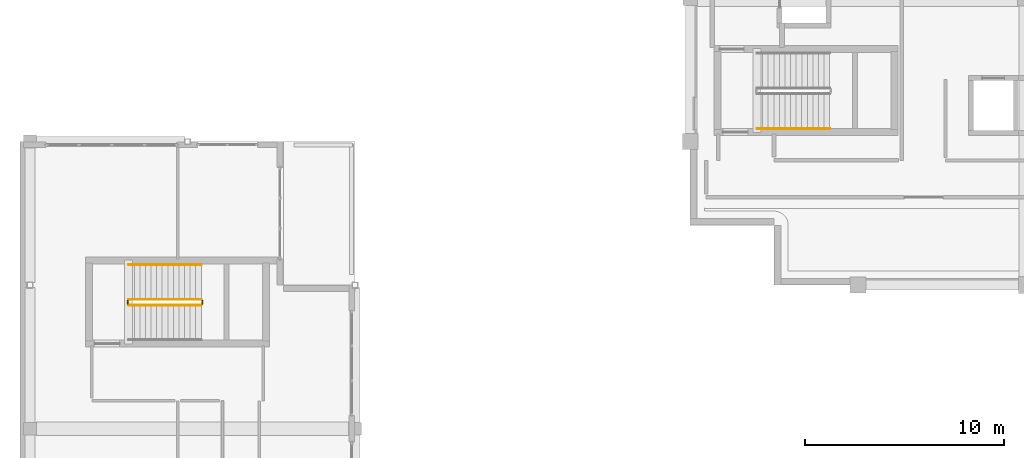
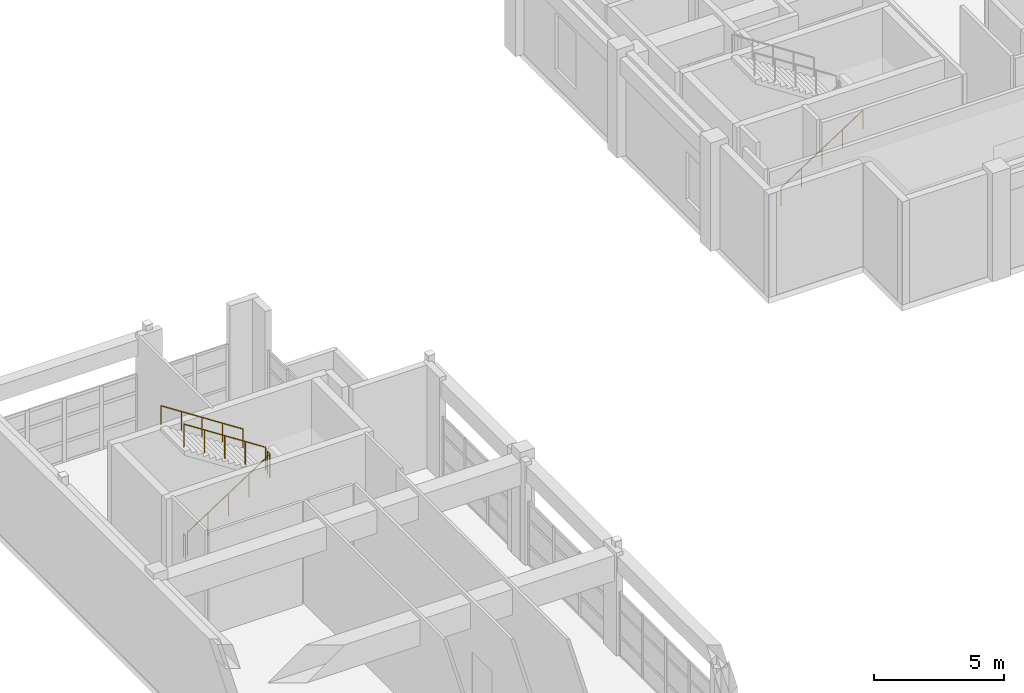
# One storey, part 75 of 78: 6 railings.
"""IFC4 building model written with IfcOpenShell, lengths in metres."""

from ifc_helpers import new_model, si_unit, direction, frame, origin, origin_2d, place, context, subcontext, project, spatial, circle, extrude, material, type_object, element, save


model = new_model("IFC4")

# Units and contexts
model_context = context("Model", 3, precision=1e-05, world=origin(), true_north=direction((0.0, 1.0)))
body_context = subcontext(model_context, "Body", "Model", "MODEL_VIEW")
ifc_project = project(units=[si_unit("LENGTHUNIT", "METRE"), si_unit("AREAUNIT", "SQUARE_METRE"), si_unit("VOLUMEUNIT", "CUBIC_METRE"), si_unit("PLANEANGLEUNIT", "RADIAN"), si_unit("MASSUNIT", "GRAM", prefix="KILO")], contexts=[model_context])

# Site, building, storey
site_placement = place(None, origin())
site = spatial("IfcSite", under=ifc_project, at=site_placement, CompositionType="ELEMENT")
building_placement = place(site_placement, origin())
building = spatial("IfcBuilding", under=site, at=building_placement, Name="Quendrovan Civic Courthouse", CompositionType="ELEMENT")
storey_placement = place(building_placement, frame((0.0, 0.0, 20.39990234375)))
storey = spatial("IfcBuildingStorey", under=building, at=storey_placement, Name="L05", CompositionType="ELEMENT", Elevation=20.39990234375)

# Railings
ifc_material_1 = material(Name="Painted galvanized steel", Category="steel")
railing_type_1 = type_object("IfcRailingType", Name="RL-STR-GUARD1100", PredefinedType="GUARDRAIL", material=ifc_material_1)
railing_1_placement = place(storey_placement, frame((5.449951171875, 86.60009765625, 0.18212890625)))
element("IfcRailing", 1, at=railing_1_placement, inside=storey, type_object=railing_type_1, Name="L05 ST8 stair guard 1", PredefinedType="GUARDRAIL", context=body_context, shape_type="SweptSolid", body=[
    extrude(circle(Radius=0.02392578125, at=origin_2d()), frame((0.0, 0.0, 1.076171875), z_axis=(0.83825089185, 0.0, 0.545284735081), x_axis=(0.0, 1.0, 0.0)), (0.0, 0.0, 1.0), 4.342529296875),
    extrude(circle(Radius=0.02099609375, at=origin_2d()), origin(), (0.0, 0.0, 1.0), 1.052001953125),
    extrude(circle(Radius=0.02099609375, at=origin_2d()), frame((0.91015625, 0.0, 0.592041015625)), (0.0, 0.0, 1.0), 1.052001953125),
    extrude(circle(Radius=0.02099609375, at=origin_2d()), frame((1.820068359375, 0.0, 1.18408203125)), (0.0, 0.0, 1.0), 1.052001953125),
    extrude(circle(Radius=0.02099609375, at=origin_2d()), frame((2.72998046875, 0.0, 1.77587890625)), (0.0, 0.0, 1.0), 1.052001953125),
    extrude(circle(Radius=0.02099609375, at=origin_2d()), frame((3.64013671875, 0.0, 2.367919921875)), (0.0, 0.0, 1.0), 1.052001953125),
])
railing_2_placement = place(storey_placement, frame((9.139892578125, 86.64990234375, 2.550048828125)))
element("IfcRailing", 2, at=railing_2_placement, inside=storey, type_object=railing_type_1, Name="L05 ST8 stair guard 2", PredefinedType="GUARDRAIL", context=body_context, shape_type="SweptSolid", body=[
    extrude(circle(Radius=0.02392578125, at=origin_2d()), frame((0.0, 0.0, 1.076171875), z_axis=(0.0, 1.0, 0.0), x_axis=(-1.0, 0.0, 0.0)), (0.0, 0.0, 1.0), 0.18017578125),
    extrude(circle(Radius=0.02099609375, at=origin_2d()), origin(), (0.0, 0.0, 1.0), 1.052001953125),
    extrude(circle(Radius=0.02099609375, at=origin_2d()), frame((0.0, 0.18017578125, 0.0)), (0.0, 0.0, 1.0), 1.052001953125),
])
railing_3_placement = place(storey_placement, frame((9.090087890625, 86.8798828125, 2.732177734375)))
element("IfcRailing", 3, at=railing_3_placement, inside=storey, type_object=railing_type_1, Name="L05 ST8 stair guard 3", PredefinedType="GUARDRAIL", context=body_context, shape_type="SweptSolid", body=[
    extrude(circle(Radius=0.02392578125, at=origin_2d()), frame((0.0, 0.0, 1.076171875), z_axis=(-0.83825089185, 0.0, 0.545284735081), x_axis=(0.0, -1.0, 0.0)), (0.0, 0.0, 1.0), 4.342529296875),
    extrude(circle(Radius=0.02099609375, at=origin_2d()), origin(), (0.0, 0.0, 1.0), 1.052001953125),
    extrude(circle(Radius=0.02099609375, at=origin_2d()), frame((-0.91015625, 0.0, 0.592041015625)), (0.0, 0.0, 1.0), 1.052001953125),
    extrude(circle(Radius=0.02099609375, at=origin_2d()), frame((-1.820068359375, 0.0, 1.18408203125)), (0.0, 0.0, 1.0), 1.052001953125),
    extrude(circle(Radius=0.02099609375, at=origin_2d()), frame((-2.72998046875, 0.0, 1.77587890625)), (0.0, 0.0, 1.0), 1.052001953125),
    extrude(circle(Radius=0.02099609375, at=origin_2d()), frame((-3.64013671875, 0.0, 2.367919921875)), (0.0, 0.0, 1.0), 1.052001953125),
])
railing_4_placement = place(storey_placement, frame((5.39990234375, 86.64990234375, 0.0)))
element("IfcRailing", 4, at=railing_4_placement, inside=storey, type_object=railing_type_1, Name="L05 ST8 stair guard 4", PredefinedType="GUARDRAIL", context=body_context, shape_type="SweptSolid", body=[
    extrude(circle(Radius=0.02392578125, at=origin_2d()), frame((0.0, 0.0, 1.076171875), z_axis=(0.0, 1.0, 0.0), x_axis=(-1.0, 0.0, 0.0)), (0.0, 0.0, 1.0), 0.18017578125),
    extrude(circle(Radius=0.02099609375, at=origin_2d()), origin(), (0.0, 0.0, 1.0), 1.052001953125),
    extrude(circle(Radius=0.02099609375, at=origin_2d()), frame((0.0, 0.18017578125, 0.0)), (0.0, 0.0, 1.0), 1.052001953125),
])
ifc_material_2 = material(Name="Bronze anodised aluminium", Category="aluminium")
railing_type_2 = type_object("IfcRailingType", Name="RL-STR-HAND900", PredefinedType="HANDRAIL", material=ifc_material_2)
railing_5_placement = place(storey_placement, frame((36.949951171875, 95.449951171875, 0.18212890625)))
element("IfcRailing", 5, at=railing_5_placement, inside=storey, type_object=railing_type_2, Name="L05 ST1 stair handrail 1", PredefinedType="HANDRAIL", context=body_context, shape_type="SweptSolid", body=[
    extrude(circle(Radius=0.02392578125, at=origin_2d()), frame((0.0, 0.0, 0.8759765625), z_axis=(0.83825089185, 0.0, 0.545284735081), x_axis=(0.0, 1.0, 0.0)), (0.0, 0.0, 1.0), 4.342529296875),
    extrude(circle(Radius=0.02099609375, at=origin_2d()), origin(), (0.0, 0.0, 1.0), 0.851806640625),
    extrude(circle(Radius=0.02099609375, at=origin_2d()), frame((0.91015625, 0.0, 0.592041015625)), (0.0, 0.0, 1.0), 0.851806640625),
    extrude(circle(Radius=0.02099609375, at=origin_2d()), frame((1.820068359375, 0.0, 1.18408203125)), (0.0, 0.0, 1.0), 0.851806640625),
    extrude(circle(Radius=0.02099609375, at=origin_2d()), frame((2.72998046875, 0.0, 1.77587890625)), (0.0, 0.0, 1.0), 0.851806640625),
    extrude(circle(Radius=0.02099609375, at=origin_2d()), frame((3.64013671875, 0.0, 2.367919921875)), (0.0, 0.0, 1.0), 0.851806640625),
])
railing_6_placement = place(storey_placement, frame((9.090087890625, 88.6298828125, 2.732177734375)))
element("IfcRailing", 6, at=railing_6_placement, inside=storey, type_object=railing_type_2, Name="L05 ST8 stair handrail 2", PredefinedType="HANDRAIL", context=body_context, shape_type="SweptSolid", body=[
    extrude(circle(Radius=0.02392578125, at=origin_2d()), frame((0.0, 0.0, 0.8759765625), z_axis=(-0.83825089185, 0.0, 0.545284735081), x_axis=(0.0, -1.0, 0.0)), (0.0, 0.0, 1.0), 4.342529296875),
    extrude(circle(Radius=0.02099609375, at=origin_2d()), origin(), (0.0, 0.0, 1.0), 0.851806640625),
    extrude(circle(Radius=0.02099609375, at=origin_2d()), frame((-0.91015625, 0.0, 0.592041015625)), (0.0, 0.0, 1.0), 0.851806640625),
    extrude(circle(Radius=0.02099609375, at=origin_2d()), frame((-1.820068359375, 0.0, 1.18408203125)), (0.0, 0.0, 1.0), 0.851806640625),
    extrude(circle(Radius=0.02099609375, at=origin_2d()), frame((-2.72998046875, 0.0, 1.77587890625)), (0.0, 0.0, 1.0), 0.851806640625),
    extrude(circle(Radius=0.02099609375, at=origin_2d()), frame((-3.64013671875, 0.0, 2.367919921875)), (0.0, 0.0, 1.0), 0.851806640625),
])

save(model, "model.ifc")
